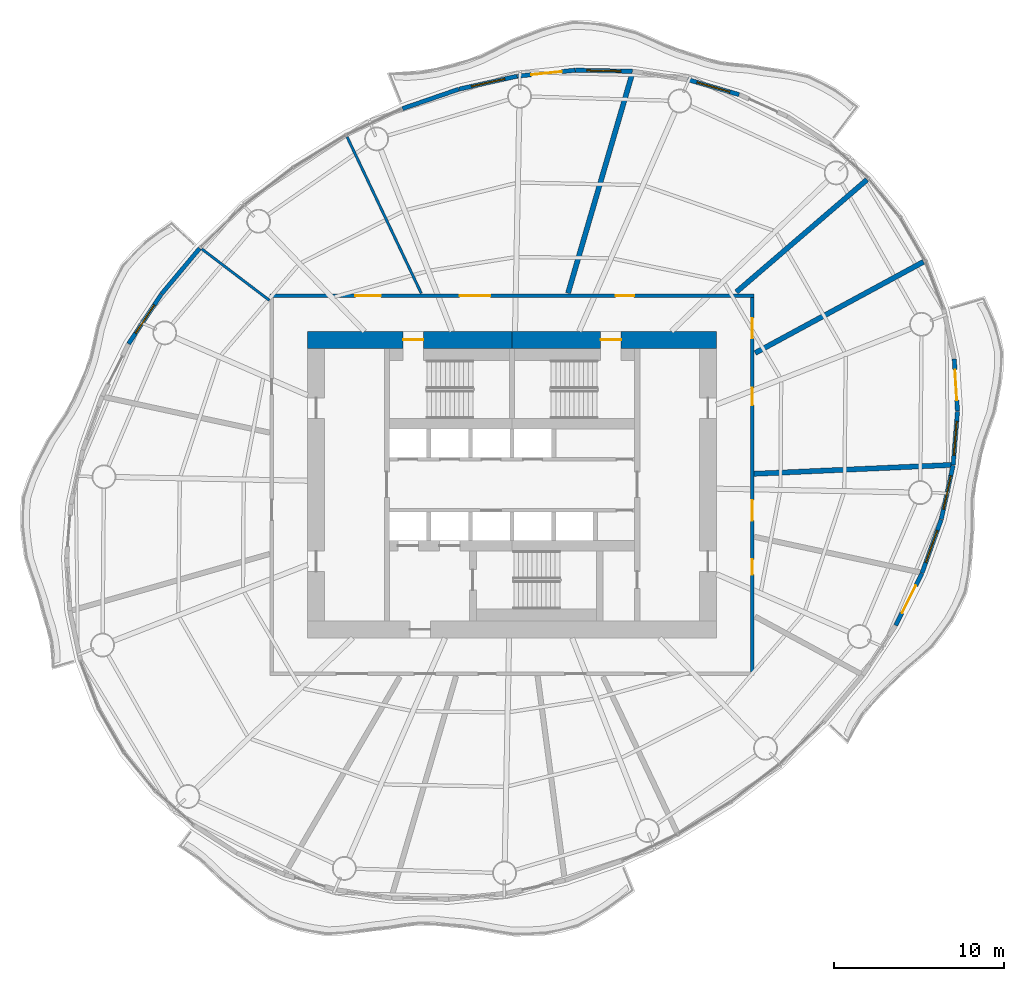
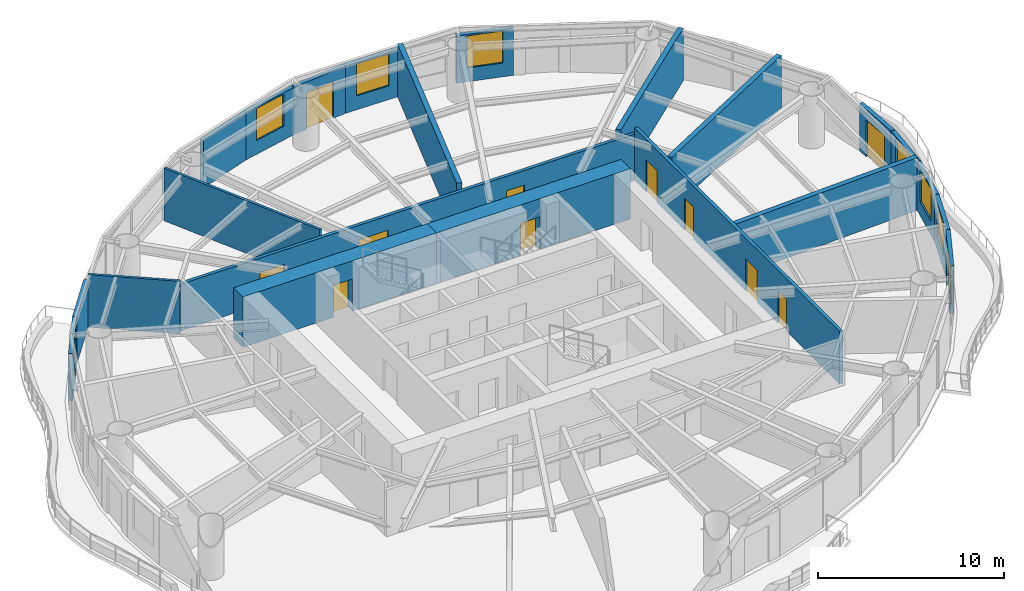
# One storey, part 10 of 14: 22 walls, 12 doors, 7 windows, 19 openings.
"""IFC4 building model written with IfcOpenShell, lengths in metres."""

import ifcopenshell
import ifcopenshell.guid

model = None  # the IFC model being written
_history = None  # IfcOwnerHistory: only IFC2X3 demands one
_inside = {}  # id of a spatial element -> (the spatial element, [elements in it])
_under = {}  # id of a project, library or spatial element -> (it, [spatial elements below it])
_declared = {}  # id of a project -> (the project, [libraries it declares])
_typed = {}  # id of a type object -> (the type object, [elements of that type])
_made_of = {}  # id of a material, layer set ... -> (it, [elements and type objects made of it])


def new_model(schema):
    """Start an empty IFC model of exactly this schema.

    Asked for "IFC4X3", IfcOpenShell would pick the latest addendum, in which some entities
    have other attributes; the version numbers below select the first issue.
    IFC2X3 requires an IfcOwnerHistory on every rooted entity: one is made here for all.
    """
    global model, _history
    if schema == "IFC4X3":
        model = ifcopenshell.file(schema_version=(4, 3, 0, 0))
    else:
        model = ifcopenshell.file(schema=schema)
    _inside.clear()
    _under.clear()
    _declared.clear()
    _typed.clear()
    _made_of.clear()
    _history = None
    if model.schema == "IFC2X3":
        org = make("IfcOrganization", Name="unknown")
        user = make(
            "IfcPersonAndOrganization",
            ThePerson=make("IfcPerson", FamilyName="unknown"),
            TheOrganization=org,
        )
        app = make(
            "IfcApplication",
            ApplicationDeveloper=org,
            Version="unknown",
            ApplicationFullName="unknown",
            ApplicationIdentifier="unknown",
        )
        _history = make(
            "IfcOwnerHistory",
            OwningUser=user,
            OwningApplication=app,
            ChangeAction="ADDED",
            CreationDate=0,
        )
    return model


def make(cls, **values):
    """One entity of the class cls with the attributes given. An attribute that is None is left unset."""
    return model.create_entity(
        cls, **{name: value for name, value in values.items() if value is not None}
    )


def rooted(cls, **values):
    """An entity with a GlobalId (a new one), such as an element, a storey or a relation."""
    return make(cls, GlobalId=ifcopenshell.guid.new(), OwnerHistory=_history, **values)


def si_unit(unit_type, name, prefix=None):
    """IfcSIUnit, for example si_unit("LENGTHUNIT", "METRE", prefix="MILLI")."""
    return make("IfcSIUnit", UnitType=unit_type, Prefix=prefix, Name=name)


def assignment(units):
    """IfcUnitAssignment: the units of a project."""
    return None if units is None else make("IfcUnitAssignment", Units=units)


def point(xyz):
    """IfcCartesianPoint."""
    return None if xyz is None else make("IfcCartesianPoint", Coordinates=xyz)


def direction(xyz):
    """IfcDirection."""
    return None if xyz is None else make("IfcDirection", DirectionRatios=xyz)


def frame(location, z_axis=None, x_axis=None):
    """IfcAxis2Placement3D, a coordinate frame: its origin and axes. An axis left out is left unset."""
    return make(
        "IfcAxis2Placement3D",
        Location=point(location),
        Axis=direction(z_axis),
        RefDirection=direction(x_axis),
    )


def frame_2d(location, x_axis=None):
    """IfcAxis2Placement2D, a coordinate frame in the plane: its origin and x axis."""
    return make(
        "IfcAxis2Placement2D", Location=point(location), RefDirection=direction(x_axis)
    )


def origin():
    """The frame at (0, 0, 0) with its axes left unset."""
    return frame((0.0, 0.0, 0.0))


def place(relative_to, where):
    """IfcLocalPlacement: puts the frame where relative to a parent placement (None: the world)."""
    return make(
        "IfcLocalPlacement", PlacementRelTo=relative_to, RelativePlacement=where
    )


def context(
    kind, dimensions, precision=None, world=None, true_north=None, identifier=None
):
    """IfcGeometricRepresentationContext, for example the 3D "Model" context."""
    return make(
        "IfcGeometricRepresentationContext",
        ContextIdentifier=identifier,
        ContextType=kind,
        CoordinateSpaceDimension=dimensions,
        Precision=precision,
        WorldCoordinateSystem=world,
        TrueNorth=true_north,
    )


def subcontext(parent, identifier, kind, view, scale=None):
    """IfcGeometricRepresentationSubContext, for example "Body" below "Model"."""
    return make(
        "IfcGeometricRepresentationSubContext",
        ContextIdentifier=identifier,
        ContextType=kind,
        ParentContext=parent,
        TargetScale=scale,
        TargetView=view,
    )


def project(units=None, contexts=None):
    """IfcProject with its units and contexts."""
    return rooted(
        "IfcProject",
        Name="project",
        RepresentationContexts=contexts,
        UnitsInContext=assignment(units),
    )


def spatial(cls, under=None, at=None, **own):
    """A site, building, storey or space (cls), placed at a placement, below another one or the project."""
    s = rooted(cls, ObjectPlacement=at, **own)
    if under is not None:
        _under.setdefault(under.id(), (under, []))[1].append(s)
    return s


def profile(cls, at=None, kind="AREA", **sizes):
    """A parametric profile (cls). Its sizes go by their IFC names, for example OverallWidth=200.0."""
    return make(cls, ProfileType=kind, Position=at, **sizes)


def rectangle(**sizes):
    """IfcRectangleProfileDef."""
    return profile("IfcRectangleProfileDef", **sizes)


def extrude(swept, where, along, depth):
    """IfcExtrudedAreaSolid: the profile swept, set in the frame where, extruded along a direction by depth."""
    return make(
        "IfcExtrudedAreaSolid",
        SweptArea=swept,
        Position=where,
        ExtrudedDirection=direction(along),
        Depth=depth,
    )


def shape(context_of_items, identifier, shape_type, items):
    """IfcShapeRepresentation: the items that make up one representation, for example the "Body"."""
    return make(
        "IfcShapeRepresentation",
        ContextOfItems=context_of_items,
        RepresentationIdentifier=identifier,
        RepresentationType=shape_type,
        Items=items,
    )


def material(Name=None, Category=None):
    """IfcMaterial."""
    return make("IfcMaterial", Name=Name, Category=Category)


def layer(
    of_material, thickness, ventilated=None, Name=None, Category=None, Priority=None
):
    """IfcMaterialLayer: one layer of a wall or slab, of a material (None: an air gap)."""
    return make(
        "IfcMaterialLayer",
        Material=of_material,
        LayerThickness=thickness,
        IsVentilated=ventilated,
        Name=Name,
        Category=Category,
        Priority=Priority,
    )


def layer_set(layers, Name=None):
    """IfcMaterialLayerSet."""
    return make("IfcMaterialLayerSet", MaterialLayers=layers, LayerSetName=Name)


def made_of(thing, what):
    """Note that an element or type object is made of a material, layer set ...; save() writes the relation."""
    if what is not None:
        _made_of.setdefault(what.id(), (what, []))[1].append(thing)
    return thing


def type_object(cls, material=None, **own):
    """A type object (cls), such as IfcWallType, which elements share."""
    return made_of(rooted(cls, **own), material)


def element(
    cls,
    number,
    at=None,
    inside=None,
    cuts=None,
    type_object=None,
    material=None,
    context=None,
    identifier="Body",
    shape_type=None,
    held_by="IfcProductDefinitionShape",
    body=None,
    shapes=None,
    **own,
):
    """One element of the class cls, such as IfcWall. Its Tag is "e" and its number.

    at: its placement. inside: the storey or other place that contains it. cuts: it is an
    opening in that element (IfcRelVoidsElement). A single representation is given by context,
    identifier, shape_type and body (its items); several are given by shapes. held_by: the class
    of the entity that holds the representations. save() writes the other relations.
    """
    e = rooted(cls, Tag="e%d" % number, ObjectPlacement=at, **own)
    if body is not None:
        shapes = [shape(context, identifier, shape_type, body)]
    if shapes is not None:
        e.Representation = make(held_by, Representations=shapes)
    if inside is not None:
        _inside.setdefault(inside.id(), (inside, []))[1].append(e)
    if cuts is not None:
        rooted(
            "IfcRelVoidsElement", RelatingBuildingElement=cuts, RelatedOpeningElement=e
        )
    if type_object is not None:
        _typed.setdefault(type_object.id(), (type_object, []))[1].append(e)
    return made_of(e, material)


def fill(opening, filler):
    """IfcRelFillsElement: the door or window that sits in an opening."""
    return rooted(
        "IfcRelFillsElement",
        RelatingOpeningElement=opening,
        RelatedBuildingElement=filler,
    )


def aggregate(whole, parts):
    """IfcRelAggregates: a whole, such as a stair, and the parts it consists of."""
    return rooted("IfcRelAggregates", RelatingObject=whole, RelatedObjects=parts)


def save(model, path):
    """Write the relations noted so far, then the file.

    IfcRelAggregates (storeys below a building ...), IfcRelContainedInSpatialStructure (elements
    in a storey), IfcRelDefinesByType, IfcRelAssociatesMaterial and IfcRelDeclares: one each for
    every whole, place, type object, material and project.
    """
    for whole, parts in _under.values():
        aggregate(whole, parts)
    for where, things in _inside.values():
        rooted(
            "IfcRelContainedInSpatialStructure",
            RelatedElements=things,
            RelatingStructure=where,
        )
    for kind, things in _typed.values():
        rooted("IfcRelDefinesByType", RelatedObjects=things, RelatingType=kind)
    for what, things in _made_of.values():
        rooted("IfcRelAssociatesMaterial", RelatedObjects=things, RelatingMaterial=what)
    for by, libraries in _declared.values():
        rooted("IfcRelDeclares", RelatingContext=by, RelatedDefinitions=libraries)
    model.write(path)


model = new_model("IFC4")

# Units and contexts
model_context = context("Model", 3, precision=1e-05, world=origin(), true_north=direction((0.0, 1.0)))
body_context = subcontext(model_context, "Body", "Model", "MODEL_VIEW")
ifc_project = project(units=[si_unit("LENGTHUNIT", "METRE"), si_unit("AREAUNIT", "SQUARE_METRE"), si_unit("VOLUMEUNIT", "CUBIC_METRE"), si_unit("PLANEANGLEUNIT", "RADIAN"), si_unit("MASSUNIT", "GRAM", prefix="KILO")], contexts=[model_context])

# Site, building, storey
site_placement = place(None, origin())
site = spatial("IfcSite", under=ifc_project, at=site_placement, CompositionType="ELEMENT")
building_placement = place(site_placement, origin())
building = spatial("IfcBuilding", under=site, at=building_placement, Name="Vermilion Reach Broadcast Tower", CompositionType="ELEMENT")
storey_placement = place(building_placement, frame((0.0, 0.0, 172.199951171875)))
storey = spatial("IfcBuildingStorey", under=building, at=storey_placement, Name="L41", CompositionType="ELEMENT", Elevation=172.199951171875)

# Wall, opening, door
ifc_material_1 = material(Name="Concrete C70", Category="concrete")
ifc_layer_1 = layer(ifc_material_1, 1.0)
ifc_layer_set_1 = layer_set([ifc_layer_1], Name="Core outer wall 1000 mm Concrete C70")
wall_type_1 = type_object("IfcWallType", Name="Core outer wall 1000 mm Concrete C70", PredefinedType="SHEAR", material=ifc_layer_set_1)
wall_1_placement = place(storey_placement, frame((6.0, 8.5, 0.0), z_axis=(0.0, 0.0, 1.0), x_axis=(-1.0, 0.0, 0.0)))
wall_1 = element("IfcWall", 1, at=wall_1_placement, inside=storey, type_object=wall_type_1, Name="L41 core wall onE", PredefinedType="SHEAR", context=body_context, shape_type="SweptSolid", body=[
    extrude(rectangle(XDim=12.0, YDim=1.0, at=frame_2d((6.0, 0.0))), origin(), (0.0, 0.0, 1.0), 3.300048828125),
])
opening_1_placement = place(wall_1_placement, frame((5.60009765625, 0.0, 0.0)))
opening_1 = element("IfcOpeningElement", 2, at=opening_1_placement, cuts=wall_1, Name="Opening D01", PredefinedType="OPENING", context=body_context, shape_type="SweptSolid", body=[
    extrude(rectangle(XDim=1.199951171875, YDim=2.10009765625, at=frame_2d((0.60009765625, 1.050048828125))), frame((0.0, 0.510009765625, 0.0), z_axis=(0.0, -1.0, 0.0), x_axis=(1.0, 0.0, 0.0)), (0.0, 0.0, 1.0), 1.02001953125),
])
ifc_material_2 = material(Name="Painted steel fire door", Category="steel")
door_type_1 = type_object("IfcDoorType", Name="Stair door 1200 x 2100", OperationType="DOUBLE_DOOR_SINGLE_SWING", PredefinedType="NOTDEFINED", material=ifc_material_2)
door_1_placement = place(opening_1_placement, origin())
door_1 = element("IfcDoor", 3, at=door_1_placement, inside=storey, type_object=door_type_1, Name="L41 stair door ST2", OperationType="DOUBLE_DOOR_SINGLE_SWING", OverallHeight=2.10009765625, OverallWidth=1.199951171875, PredefinedType="NOTDEFINED", context=body_context, shape_type="SweptSolid", body=[
    extrude(rectangle(XDim=1.199951171875, YDim=2.10009765625, at=frame_2d((0.60009765625, 1.050048828125))), frame((0.0, 0.02490234375, 0.0), z_axis=(0.0, -1.0, 0.0), x_axis=(1.0, 0.0, 0.0)), (0.0, 0.0, 1.0), 0.050048828125),
])
fill(opening_1, door_1)

wall_2_placement = place(storey_placement, frame((-6.0, 8.5, 0.0), z_axis=(0.0, 0.0, 1.0), x_axis=(-1.0, 0.0, 0.0)))
wall_2 = element("IfcWall", 4, at=wall_2_placement, inside=storey, type_object=wall_type_1, Name="L41 core wall onW", PredefinedType="SHEAR", context=body_context, shape_type="SweptSolid", body=[
    extrude(rectangle(XDim=12.0, YDim=1.0, at=frame_2d((6.0, 0.0))), origin(), (0.0, 0.0, 1.0), 3.300048828125),
])
opening_2_placement = place(wall_2_placement, frame((5.199951171875, 0.0, 0.0)))
opening_2 = element("IfcOpeningElement", 5, at=opening_2_placement, cuts=wall_2, Name="Opening D01", PredefinedType="OPENING", context=body_context, shape_type="SweptSolid", body=[
    extrude(rectangle(XDim=1.199951171875, YDim=2.10009765625, at=frame_2d((0.60009765625, 1.050048828125))), frame((0.0, 0.510009765625, 0.0), z_axis=(0.0, -1.0, 0.0), x_axis=(1.0, 0.0, 0.0)), (0.0, 0.0, 1.0), 1.02001953125),
])
door_2_placement = place(opening_2_placement, origin())
door_2 = element("IfcDoor", 6, at=door_2_placement, inside=storey, type_object=door_type_1, Name="L41 stair door ST1", OperationType="DOUBLE_DOOR_SINGLE_SWING", OverallHeight=2.10009765625, OverallWidth=1.199951171875, PredefinedType="NOTDEFINED", context=body_context, shape_type="SweptSolid", body=[
    extrude(rectangle(XDim=1.199951171875, YDim=2.10009765625, at=frame_2d((0.60009765625, 1.050048828125))), frame((0.0, 0.02490234375, 0.0), z_axis=(0.0, -1.0, 0.0), x_axis=(1.0, 0.0, 0.0)), (0.0, 0.0, 1.0), 0.050048828125),
])
fill(opening_2, door_2)

# Wall, openings, doors
ifc_material_3 = material(Name="Fire-rated gypsum board partition")
ifc_layer_2 = layer(ifc_material_3, 0.199951171875)
ifc_layer_set_2 = layer_set([ifc_layer_2], Name="Corridor wall 200 fire-rated")
wall_type_2 = type_object("IfcWallType", Name="Corridor wall 200 fire-rated", PredefinedType="PARTITIONING", material=ifc_layer_set_2)
wall_3_placement = place(storey_placement, frame((8.10009765625, 11.0, 0.0), z_axis=(0.0, 0.0, 1.0), x_axis=(0.0, -1.0, 0.0)))
wall_3 = element("IfcWall", 7, at=wall_3_placement, inside=storey, type_object=wall_type_2, Name="Corridor wall 41.E", PredefinedType="PARTITIONING", context=body_context, shape_type="SweptSolid", body=[
    extrude(rectangle(XDim=22.0, YDim=0.199951171875, at=frame_2d((11.0, 0.0))), origin(), (0.0, 0.0, 1.0), 3.449951171875),
])
opening_3_placement = place(wall_3_placement, frame((15.377685546875, 0.0, 0.0)))
opening_3 = element("IfcOpeningElement", 8, at=opening_3_placement, cuts=wall_3, Name="Opening D22", PredefinedType="OPENING", context=body_context, shape_type="SweptSolid", body=[
    extrude(rectangle(XDim=0.89990234375, YDim=2.10009765625, at=frame_2d((0.449951171875, 1.050048828125))), frame((0.0, 0.10986328125, 0.0), z_axis=(0.0, -1.0, 0.0), x_axis=(1.0, 0.0, 0.0)), (0.0, 0.0, 1.0), 0.219970703125),
])
opening_4_placement = place(wall_3_placement, frame((11.905029296875, 0.0, 0.0)))
opening_4 = element("IfcOpeningElement", 9, at=opening_4_placement, cuts=wall_3, Name="Opening D26", PredefinedType="OPENING", context=body_context, shape_type="SweptSolid", body=[
    extrude(rectangle(XDim=1.199951171875, YDim=2.10009765625, at=frame_2d((0.60009765625, 1.050048828125))), frame((0.0, 0.10986328125, 0.0), z_axis=(0.0, -1.0, 0.0), x_axis=(1.0, 0.0, 0.0)), (0.0, 0.0, 1.0), 0.219970703125),
])
opening_5_placement = place(wall_3_placement, frame((5.32275390625, 0.0, 0.0)))
opening_5 = element("IfcOpeningElement", 10, at=opening_5_placement, cuts=wall_3, Name="Opening D20", PredefinedType="OPENING", context=body_context, shape_type="SweptSolid", body=[
    extrude(rectangle(XDim=1.0, YDim=2.10009765625, at=frame_2d((0.5, 1.050048828125))), frame((0.0, 0.10986328125, 0.0), z_axis=(0.0, -1.0, 0.0), x_axis=(1.0, 0.0, 0.0)), (0.0, 0.0, 1.0), 0.219970703125),
])
opening_6_placement = place(wall_3_placement, frame((1.214599609375, 0.0, 0.0)))
opening_6 = element("IfcOpeningElement", 11, at=opening_6_placement, cuts=wall_3, Name="Opening D26", PredefinedType="OPENING", context=body_context, shape_type="SweptSolid", body=[
    extrude(rectangle(XDim=1.199951171875, YDim=2.10009765625, at=frame_2d((0.60009765625, 1.050048828125))), frame((0.0, 0.10986328125, 0.0), z_axis=(0.0, -1.0, 0.0), x_axis=(1.0, 0.0, 0.0)), (0.0, 0.0, 1.0), 0.219970703125),
])
ifc_material_4 = material(Name="Timber door leaf", Category="wood")
door_type_2 = type_object("IfcDoorType", Name="Door single 1000x2100", OperationType="NOTDEFINED", PredefinedType="DOOR", material=ifc_material_4)
door_3_placement = place(opening_5_placement, origin())
door_3 = element("IfcDoor", 12, at=door_3_placement, inside=storey, type_object=door_type_2, Name="Door 41.13", OperationType="SINGLE_SWING_LEFT", OverallHeight=2.10009765625, OverallWidth=1.0, PredefinedType="DOOR", context=body_context, shape_type="SweptSolid", body=[
    extrude(rectangle(XDim=1.0, YDim=2.10009765625, at=frame_2d((0.5, 1.050048828125))), frame((0.0, 0.02490234375, 0.0), z_axis=(0.0, -1.0, 0.0), x_axis=(1.0, 0.0, 0.0)), (0.0, 0.0, 1.0), 0.050048828125),
])
fill(opening_5, door_3)
ifc_material_5 = material(Name="Acoustic timber door leaf", Category="wood")
door_type_3 = type_object("IfcDoorType", Name="Door single 1200x2100", OperationType="NOTDEFINED", PredefinedType="DOOR", material=ifc_material_5)
door_4_placement = place(opening_4_placement, origin())
door_4 = element("IfcDoor", 13, at=door_4_placement, inside=storey, type_object=door_type_3, Name="Door 41.12", OperationType="SINGLE_SWING_RIGHT", OverallHeight=2.10009765625, OverallWidth=1.199951171875, PredefinedType="DOOR", context=body_context, shape_type="SweptSolid", body=[
    extrude(rectangle(XDim=1.199951171875, YDim=2.10009765625, at=frame_2d((0.60009765625, 1.050048828125))), frame((0.0, 0.02490234375, 0.0), z_axis=(0.0, -1.0, 0.0), x_axis=(1.0, 0.0, 0.0)), (0.0, 0.0, 1.0), 0.050048828125),
])
fill(opening_4, door_4)
door_5_placement = place(opening_6_placement, origin())
door_5 = element("IfcDoor", 14, at=door_5_placement, inside=storey, type_object=door_type_3, Name="Door 41.14", OperationType="SINGLE_SWING_RIGHT", OverallHeight=2.10009765625, OverallWidth=1.199951171875, PredefinedType="DOOR", context=body_context, shape_type="SweptSolid", body=[
    extrude(rectangle(XDim=1.199951171875, YDim=2.10009765625, at=frame_2d((0.60009765625, 1.050048828125))), frame((0.0, 0.02490234375, 0.0), z_axis=(0.0, -1.0, 0.0), x_axis=(1.0, 0.0, 0.0)), (0.0, 0.0, 1.0), 0.050048828125),
])
fill(opening_6, door_5)
ifc_material_6 = material(Name="Timber door leaf", Category="wood")
door_type_4 = type_object("IfcDoorType", Name="Door single 900x2100", OperationType="NOTDEFINED", PredefinedType="DOOR", material=ifc_material_6)
door_6_placement = place(opening_3_placement, origin())
door_6 = element("IfcDoor", 15, at=door_6_placement, inside=storey, type_object=door_type_4, Name="Door 41.11", OperationType="SINGLE_SWING_LEFT", OverallHeight=2.10009765625, OverallWidth=0.89990234375, PredefinedType="DOOR", context=body_context, shape_type="SweptSolid", body=[
    extrude(rectangle(XDim=0.89990234375, YDim=2.10009765625, at=frame_2d((0.449951171875, 1.050048828125))), frame((0.0, 0.02490234375, 0.0), z_axis=(0.0, -1.0, 0.0), x_axis=(1.0, 0.0, 0.0)), (0.0, 0.0, 1.0), 0.050048828125),
])
fill(opening_3, door_6)

# Walls
ifc_material_7 = material(Name="Lightweight concrete block, plastered", Category="concrete")
ifc_layer_3 = layer(ifc_material_7, 0.14990234375)
ifc_layer_set_3 = layer_set([ifc_layer_3], Name="Partition 150 lightweight block")
wall_type_3 = type_object("IfcWallType", Name="Partition 150 lightweight block", PredefinedType="PARTITIONING", material=ifc_layer_set_3)
wall_4_placement = place(storey_placement, frame((-15.68115234375, 20.409912109375, 0.0), z_axis=(0.0, 0.0, 1.0), x_axis=(0.42856257456, -0.903512102678, 0.0)))
element("IfcWall", 16, at=wall_4_placement, inside=storey, type_object=wall_type_3, Name="Partition 41.03", PredefinedType="PARTITIONING", context=body_context, shape_type="SweptSolid", body=[
    extrude(rectangle(XDim=10.157958984375, YDim=0.14990234375, at=frame_2d((5.0791015625, 0.0))), origin(), (0.0, 0.0, 1.0), 3.449951171875),
])
wall_5_placement = place(storey_placement, frame((-24.208740234375, 13.834716796875, 0.0), z_axis=(0.0, 0.0, 1.0), x_axis=(0.796229293109, -0.604994969231, 0.0)))
element("IfcWall", 17, at=wall_5_placement, inside=storey, type_object=wall_type_3, Name="Partition 41.04", PredefinedType="PARTITIONING", context=body_context, shape_type="SweptSolid", body=[
    extrude(rectangle(XDim=4.977783203125, YDim=0.14990234375, at=frame_2d((2.48876953125, 0.0))), origin(), (0.0, 0.0, 1.0), 3.449951171875),
])
ifc_material_8 = material(Name="Double-leaf plasterboard on isolated steel stud", Category="steel")
ifc_layer_4 = layer(ifc_material_8, 0.300048828125)
ifc_layer_set_4 = layer_set([ifc_layer_4], Name="Partition 300 acoustic double leaf")
wall_type_4 = type_object("IfcWallType", Name="Partition 300 acoustic double leaf", PredefinedType="PARTITIONING", material=ifc_layer_set_4)
wall_6_placement = place(storey_placement, frame((14.83154296875, 17.89990234375, 0.0), z_axis=(0.0, 0.0, 1.0), x_axis=(-0.758456240409, -0.651723968705, 0.0)))
element("IfcWall", 18, at=wall_6_placement, inside=storey, type_object=wall_type_4, Name="Partition 41.01", PredefinedType="PARTITIONING", context=body_context, shape_type="SweptSolid", body=[
    extrude(rectangle(XDim=10.105712890625, YDim=0.300048828125, at=frame_2d((5.052734375, 0.0))), origin(), (0.0, 0.0, 1.0), 3.449951171875),
])
wall_7_placement = place(storey_placement, frame((1.058349609375, 24.141357421875, 0.0), z_axis=(0.0, 0.0, 1.0), x_axis=(-0.28063264882, -0.95981525119, 0.0)))
element("IfcWall", 19, at=wall_7_placement, inside=storey, type_object=wall_type_4, Name="Partition 41.02", PredefinedType="PARTITIONING", context=body_context, shape_type="SweptSolid", body=[
    extrude(rectangle(XDim=13.439208984375, YDim=0.300048828125, at=frame_2d((6.7197265625, 0.0))), origin(), (0.0, 0.0, 1.0), 3.449951171875),
])
wall_8_placement = place(storey_placement, frame((19.767578125, 1.160400390625, 0.0), z_axis=(0.0, 0.0, 1.0), x_axis=(-0.998987978485, -0.044977981757, 0.0)))
element("IfcWall", 20, at=wall_8_placement, inside=storey, type_object=wall_type_4, Name="Partition 41.13", PredefinedType="PARTITIONING", context=body_context, shape_type="SweptSolid", body=[
    extrude(rectangle(XDim=11.572509765625, YDim=0.300048828125, at=frame_2d((5.7861328125, 0.0))), origin(), (0.0, 0.0, 1.0), 3.449951171875),
])
wall_9_placement = place(storey_placement, frame((18.149169921875, 13.083740234375, 0.0), z_axis=(0.0, 0.0, 1.0), x_axis=(-0.879249111844, -0.476362256398, 0.0)))
element("IfcWall", 21, at=wall_9_placement, inside=storey, type_object=wall_type_4, Name="Partition 41.14", PredefinedType="PARTITIONING", context=body_context, shape_type="SweptSolid", body=[
    extrude(rectangle(XDim=11.234130859375, YDim=0.300048828125, at=frame_2d((5.6171875, 0.0))), origin(), (0.0, 0.0, 1.0), 3.449951171875),
])

# Wall, opening, window
ifc_material_9 = material(Name="Terracotta rainscreen cladding", Category="masonry")
ifc_layer_5 = layer(ifc_material_9, 0.25)
ifc_layer_set_5 = layer_set([ifc_layer_5], Name="Terracotta rainscreen wall 250")
wall_type_5 = type_object("IfcWallType", Name="Terracotta rainscreen wall 250", PredefinedType="SOLIDWALL", material=ifc_layer_set_5)
wall_10_placement = place(storey_placement, frame((7.330322265625, 22.8994140625, 0.0), z_axis=(0.0, 0.0, 1.0), x_axis=(-0.960068559705, 0.279764831003, 0.0)))
wall_10 = element("IfcWall", 22, at=wall_10_placement, inside=storey, type_object=wall_type_5, Name="External wall L41 04", PredefinedType="SOLIDWALL", context=body_context, shape_type="SweptSolid", body=[
    extrude(rectangle(XDim=3.1494140625, YDim=0.25, at=frame_2d((1.57470703125, 0.0))), origin(), (0.0, 0.0, 1.0), 3.10009765625),
])
opening_7_placement = place(wall_10_placement, frame((0.57470703125, 0.0, 0.89990234375)))
opening_7 = element("IfcOpeningElement", 23, at=opening_7_placement, cuts=wall_10, Name="Opening W03", PredefinedType="OPENING", context=body_context, shape_type="SweptSolid", body=[
    extrude(rectangle(XDim=2.0, YDim=2.10009765625, at=frame_2d((1.0, 1.050048828125))), frame((0.0, 0.135009765625, 0.0), z_axis=(0.0, -1.0, 0.0), x_axis=(1.0, 0.0, 0.0)), (0.0, 0.0, 1.0), 0.27001953125),
])
ifc_material_10 = material(Name="Low-e laminated clear glass in aluminium frame", Category="aluminium")
window_type = type_object("IfcWindowType", Name="Punched window 2000 x 2100 sill 900", PartitioningType="SINGLE_PANEL", PredefinedType="WINDOW", material=ifc_material_10)
window_1_placement = place(opening_7_placement, origin())
window_1 = element("IfcWindow", 24, at=window_1_placement, inside=storey, type_object=window_type, Name="Window L41 04", OverallHeight=2.10009765625, OverallWidth=2.0, PartitioningType="SINGLE_PANEL", PredefinedType="WINDOW", context=body_context, shape_type="SweptSolid", body=[
    extrude(rectangle(XDim=2.0, YDim=2.10009765625, at=frame_2d((1.0, 1.050048828125))), frame((0.0, 0.030029296875, 0.0), z_axis=(0.0, -1.0, 0.0), x_axis=(1.0, 0.0, 0.0)), (0.0, 0.0, 1.0), 0.06005859375),
])
fill(opening_7, window_1)

wall_11_placement = place(storey_placement, frame((1.056640625, 24.26611328125, 0.0), z_axis=(0.0, 0.0, 1.0), x_axis=(-0.999802109274, 0.019893272512, 0.0)))
wall_11 = element("IfcWall", 25, at=wall_11_placement, inside=storey, type_object=wall_type_5, Name="External wall L41 06", PredefinedType="SOLIDWALL", context=body_context, shape_type="SweptSolid", body=[
    extrude(rectangle(XDim=3.325927734375, YDim=0.25, at=frame_2d((1.6630859375, 0.0))), origin(), (0.0, 0.0, 1.0), 3.10009765625),
])
opening_8_placement = place(wall_11_placement, frame((0.6630859375, 0.0, 0.89990234375)))
opening_8 = element("IfcOpeningElement", 26, at=opening_8_placement, cuts=wall_11, Name="Opening W03", PredefinedType="OPENING", context=body_context, shape_type="SweptSolid", body=[
    extrude(rectangle(XDim=2.0, YDim=2.10009765625, at=frame_2d((1.0, 1.050048828125))), frame((0.0, 0.135009765625, 0.0), z_axis=(0.0, -1.0, 0.0), x_axis=(1.0, 0.0, 0.0)), (0.0, 0.0, 1.0), 0.27001953125),
])
window_2_placement = place(opening_8_placement, origin())
window_2 = element("IfcWindow", 27, at=window_2_placement, inside=storey, type_object=window_type, Name="Window L41 06", OverallHeight=2.10009765625, OverallWidth=2.0, PartitioningType="SINGLE_PANEL", PredefinedType="WINDOW", context=body_context, shape_type="SweptSolid", body=[
    extrude(rectangle(XDim=2.0, YDim=2.10009765625, at=frame_2d((1.0, 1.050048828125))), frame((0.0, 0.030029296875, 0.0), z_axis=(0.0, -1.0, 0.0), x_axis=(1.0, 0.0, 0.0)), (0.0, 0.0, 1.0), 0.06005859375),
])
fill(opening_8, window_2)

# Wall, opening, door
wall_12_placement = place(storey_placement, frame((-2.291748046875, 24.331298828125, 0.0), z_axis=(0.0, 0.0, 1.0), x_axis=(-0.994780134023, -0.102041584436, 0.0)))
wall_12 = element("IfcWall", 28, at=wall_12_placement, inside=storey, type_object=wall_type_5, Name="External wall L41 07", PredefinedType="SOLIDWALL", context=body_context, shape_type="SweptSolid", body=[
    extrude(rectangle(XDim=3.409423828125, YDim=0.25, at=frame_2d((1.70458984375, 0.0))), origin(), (0.0, 0.0, 1.0), 3.10009765625),
])
opening_9_placement = place(wall_12_placement, frame((0.804931640625, 0.0, 0.0)))
opening_9 = element("IfcOpeningElement", 29, at=opening_9_placement, cuts=wall_12, Name="Opening D70", PredefinedType="OPENING", context=body_context, shape_type="SweptSolid", body=[
    extrude(rectangle(XDim=1.800048828125, YDim=2.39990234375, at=frame_2d((0.89990234375, 1.199951171875))), frame((0.0, 0.135009765625, 0.0), z_axis=(0.0, -1.0, 0.0), x_axis=(1.0, 0.0, 0.0)), (0.0, 0.0, 1.0), 0.27001953125),
])
ifc_material_11 = material(Name="Low-e laminated clear glass in aluminium frame", Category="aluminium")
door_type_5 = type_object("IfcDoorType", Name="Balcony sliding door 1800 x 2400", OperationType="DOUBLE_DOOR_SLIDING", PredefinedType="DOOR", material=ifc_material_11)
door_7_placement = place(opening_9_placement, origin())
door_7 = element("IfcDoor", 30, at=door_7_placement, inside=storey, type_object=door_type_5, Name="Balcony door L41 run 02", OperationType="DOUBLE_DOOR_SLIDING", OverallHeight=2.39990234375, OverallWidth=1.800048828125, PredefinedType="DOOR", context=body_context, shape_type="SweptSolid", body=[
    extrude(rectangle(XDim=1.800048828125, YDim=2.39990234375, at=frame_2d((0.89990234375, 1.199951171875))), frame((0.0, 0.02490234375, 0.0), z_axis=(0.0, -1.0, 0.0), x_axis=(1.0, 0.0, 0.0)), (0.0, 0.0, 1.0), 0.050048828125),
])
fill(opening_9, door_7)

# Wall, opening, window
wall_13_placement = place(storey_placement, frame((-5.70556640625, 23.979736328125, 0.0), z_axis=(0.0, 0.0, 1.0), x_axis=(-0.976094589236, -0.217346159074, 0.0)))
wall_13 = element("IfcWall", 31, at=wall_13_placement, inside=storey, type_object=wall_type_5, Name="External wall L41 08", PredefinedType="SOLIDWALL", context=body_context, shape_type="SweptSolid", body=[
    extrude(rectangle(XDim=3.482177734375, YDim=0.25, at=frame_2d((1.7412109375, 0.0))), origin(), (0.0, 0.0, 1.0), 3.10009765625),
])
opening_10_placement = place(wall_13_placement, frame((0.7412109375, 0.0, 0.89990234375)))
opening_10 = element("IfcOpeningElement", 32, at=opening_10_placement, cuts=wall_13, Name="Opening W03", PredefinedType="OPENING", context=body_context, shape_type="SweptSolid", body=[
    extrude(rectangle(XDim=2.0, YDim=2.10009765625, at=frame_2d((1.0, 1.050048828125))), frame((0.0, 0.135009765625, 0.0), z_axis=(0.0, -1.0, 0.0), x_axis=(1.0, 0.0, 0.0)), (0.0, 0.0, 1.0), 0.27001953125),
])
window_3_placement = place(opening_10_placement, origin())
window_3 = element("IfcWindow", 33, at=window_3_placement, inside=storey, type_object=window_type, Name="Window L41 08", OverallHeight=2.10009765625, OverallWidth=2.0, PartitioningType="SINGLE_PANEL", PredefinedType="WINDOW", context=body_context, shape_type="SweptSolid", body=[
    extrude(rectangle(XDim=2.0, YDim=2.10009765625, at=frame_2d((1.0, 1.050048828125))), frame((0.0, 0.030029296875, 0.0), z_axis=(0.0, -1.0, 0.0), x_axis=(1.0, 0.0, 0.0)), (0.0, 0.0, 1.0), 0.06005859375),
])
fill(opening_10, window_3)

# Walls
for number, where, z_axis, x_axis, name in (
    (34, (-9.125732421875, 23.216796875, 0.0), (0.0, 0.0, 1.0), (-0.945436778495, -0.325805613623, 0.0), "External wall L41 09"),
    (35, (-24.33544921875, 13.877685546875, 0.0), (0.0, 0.0, 1.0), (-0.64142670303, -0.767184322468, 0.0), "External wall L41 14"),
):
    element("IfcWall", number, at=place(storey_placement, frame(where, z_axis=z_axis, x_axis=x_axis)), inside=storey, type_object=wall_type_5, Name=name, PredefinedType="SOLIDWALL", context=body_context, shape_type="SweptSolid", body=[
        extrude(rectangle(XDim=3.496337890625, YDim=0.25, at=frame_2d((1.748046875, 0.0))), origin(), (0.0, 0.0, 1.0), 3.10009765625),
    ])

# Wall, opening, window
wall_14_placement = place(storey_placement, frame((-26.59130859375, 11.177490234375, 0.0), z_axis=(0.0, 0.0, 1.0), x_axis=(-0.551021923649, -0.834490766671, 0.0)))
wall_14 = element("IfcWall", 36, at=wall_14_placement, inside=storey, type_object=wall_type_5, Name="External wall L41 15", PredefinedType="SOLIDWALL", context=body_context, shape_type="SweptSolid", body=[
    extrude(rectangle(XDim=3.482177734375, YDim=0.25, at=frame_2d((1.7412109375, 0.0))), origin(), (0.0, 0.0, 1.0), 3.10009765625),
])
opening_11_placement = place(wall_14_placement, frame((0.7412109375, 0.0, 0.89990234375)))
opening_11 = element("IfcOpeningElement", 37, at=opening_11_placement, cuts=wall_14, Name="Opening W03", PredefinedType="OPENING", context=body_context, shape_type="SweptSolid", body=[
    extrude(rectangle(XDim=2.0, YDim=2.10009765625, at=frame_2d((1.0, 1.050048828125))), frame((0.0, 0.135009765625, 0.0), z_axis=(0.0, -1.0, 0.0), x_axis=(1.0, 0.0, 0.0)), (0.0, 0.0, 1.0), 0.27001953125),
])
window_4_placement = place(opening_11_placement, origin())
window_4 = element("IfcWindow", 38, at=window_4_placement, inside=storey, type_object=window_type, Name="Window L41 15", OverallHeight=2.10009765625, OverallWidth=2.0, PartitioningType="SINGLE_PANEL", PredefinedType="WINDOW", context=body_context, shape_type="SweptSolid", body=[
    extrude(rectangle(XDim=2.0, YDim=2.10009765625, at=frame_2d((1.0, 1.050048828125))), frame((0.0, 0.030029296875, 0.0), z_axis=(0.0, -1.0, 0.0), x_axis=(1.0, 0.0, 0.0)), (0.0, 0.0, 1.0), 0.06005859375),
])
fill(opening_11, window_4)

# Wall, opening, door
wall_15_placement = place(storey_placement, frame((16.521240234375, -8.252197265625, 0.0), z_axis=(0.0, 0.0, 1.0), x_axis=(0.449903975736, 0.893076935441, 0.0)))
wall_15 = element("IfcWall", 39, at=wall_15_placement, inside=storey, type_object=wall_type_5, Name="External wall L41 40", PredefinedType="SOLIDWALL", context=body_context, shape_type="SweptSolid", body=[
    extrude(rectangle(XDim=3.409423828125, YDim=0.25, at=frame_2d((1.70458984375, 0.0))), origin(), (0.0, 0.0, 1.0), 3.10009765625),
])
opening_12_placement = place(wall_15_placement, frame((0.804931640625, 0.0, 0.0)))
opening_12 = element("IfcOpeningElement", 40, at=opening_12_placement, cuts=wall_15, Name="Opening D70", PredefinedType="OPENING", context=body_context, shape_type="SweptSolid", body=[
    extrude(rectangle(XDim=1.800048828125, YDim=2.39990234375, at=frame_2d((0.89990234375, 1.199951171875))), frame((0.0, 0.135009765625, 0.0), z_axis=(0.0, -1.0, 0.0), x_axis=(1.0, 0.0, 0.0)), (0.0, 0.0, 1.0), 0.27001953125),
])
door_8_placement = place(opening_12_placement, origin())
door_8 = element("IfcDoor", 41, at=door_8_placement, inside=storey, type_object=door_type_5, Name="Balcony door L41 run 10", OperationType="DOUBLE_DOOR_SLIDING", OverallHeight=2.39990234375, OverallWidth=1.800048828125, PredefinedType="DOOR", context=body_context, shape_type="SweptSolid", body=[
    extrude(rectangle(XDim=1.800048828125, YDim=2.39990234375, at=frame_2d((0.89990234375, 1.199951171875))), frame((0.0, 0.02490234375, 0.0), z_axis=(0.0, -1.0, 0.0), x_axis=(1.0, 0.0, 0.0)), (0.0, 0.0, 1.0), 0.050048828125),
])
fill(opening_12, door_8)

# Wall, opening, window
wall_16_placement = place(storey_placement, frame((18.064453125, -5.18603515625, 0.0), z_axis=(0.0, 0.0, 1.0), x_axis=(0.337661333214, 0.941267668653, 0.0)))
wall_16 = element("IfcWall", 42, at=wall_16_placement, inside=storey, type_object=wall_type_5, Name="External wall L41 41", PredefinedType="SOLIDWALL", context=body_context, shape_type="SweptSolid", body=[
    extrude(rectangle(XDim=3.325927734375, YDim=0.25, at=frame_2d((1.6630859375, 0.0))), origin(), (0.0, 0.0, 1.0), 3.10009765625),
])
opening_13_placement = place(wall_16_placement, frame((0.6630859375, 0.0, 0.89990234375)))
opening_13 = element("IfcOpeningElement", 43, at=opening_13_placement, cuts=wall_16, Name="Opening W03", PredefinedType="OPENING", context=body_context, shape_type="SweptSolid", body=[
    extrude(rectangle(XDim=2.0, YDim=2.10009765625, at=frame_2d((1.0, 1.050048828125))), frame((0.0, 0.135009765625, 0.0), z_axis=(0.0, -1.0, 0.0), x_axis=(1.0, 0.0, 0.0)), (0.0, 0.0, 1.0), 0.27001953125),
])
window_5_placement = place(opening_13_placement, origin())
window_5 = element("IfcWindow", 44, at=window_5_placement, inside=storey, type_object=window_type, Name="Window L41 41", OverallHeight=2.10009765625, OverallWidth=2.0, PartitioningType="SINGLE_PANEL", PredefinedType="WINDOW", context=body_context, shape_type="SweptSolid", body=[
    extrude(rectangle(XDim=2.0, YDim=2.10009765625, at=frame_2d((1.0, 1.050048828125))), frame((0.0, 0.030029296875, 0.0), z_axis=(0.0, -1.0, 0.0), x_axis=(1.0, 0.0, 0.0)), (0.0, 0.0, 1.0), 0.06005859375),
])
fill(opening_13, window_5)

wall_17_placement = place(storey_placement, frame((19.1943359375, -2.032470703125, 0.0), z_axis=(0.0, 0.0, 1.0), x_axis=(0.21439852093, 0.976746269111, 0.0)))
wall_17 = element("IfcWall", 45, at=wall_17_placement, inside=storey, type_object=wall_type_5, Name="External wall L41 42", PredefinedType="SOLIDWALL", context=body_context, shape_type="SweptSolid", body=[
    extrude(rectangle(XDim=3.2373046875, YDim=0.25, at=frame_2d((1.61865234375, 0.0))), origin(), (0.0, 0.0, 1.0), 3.10009765625),
])
opening_14_placement = place(wall_17_placement, frame((0.61865234375, 0.0, 0.89990234375)))
opening_14 = element("IfcOpeningElement", 46, at=opening_14_placement, cuts=wall_17, Name="Opening W03", PredefinedType="OPENING", context=body_context, shape_type="SweptSolid", body=[
    extrude(rectangle(XDim=2.0, YDim=2.10009765625, at=frame_2d((1.0, 1.050048828125))), frame((0.0, 0.135009765625, 0.0), z_axis=(0.0, -1.0, 0.0), x_axis=(1.0, 0.0, 0.0)), (0.0, 0.0, 1.0), 0.27001953125),
])
window_6_placement = place(opening_14_placement, origin())
window_6 = element("IfcWindow", 47, at=window_6_placement, inside=storey, type_object=window_type, Name="Window L41 42", OverallHeight=2.10009765625, OverallWidth=2.0, PartitioningType="SINGLE_PANEL", PredefinedType="WINDOW", context=body_context, shape_type="SweptSolid", body=[
    extrude(rectangle(XDim=2.0, YDim=2.10009765625, at=frame_2d((1.0, 1.050048828125))), frame((0.0, 0.030029296875, 0.0), z_axis=(0.0, -1.0, 0.0), x_axis=(1.0, 0.0, 0.0)), (0.0, 0.0, 1.0), 0.06005859375),
])
fill(opening_14, window_6)

wall_18_placement = place(storey_placement, frame((19.89208984375, 1.154296875, 0.0), z_axis=(0.0, 0.0, 1.0), x_axis=(0.080857499855, 0.996725671746, 0.0)))
wall_18 = element("IfcWall", 48, at=wall_18_placement, inside=storey, type_object=wall_type_5, Name="External wall L41 43", PredefinedType="SOLIDWALL", context=body_context, shape_type="SweptSolid", body=[
    extrude(rectangle(XDim=3.149169921875, YDim=0.25, at=frame_2d((1.57470703125, 0.0))), origin(), (0.0, 0.0, 1.0), 3.10009765625),
])
opening_15_placement = place(wall_18_placement, frame((0.57470703125, 0.0, 0.89990234375)))
opening_15 = element("IfcOpeningElement", 49, at=opening_15_placement, cuts=wall_18, Name="Opening W03", PredefinedType="OPENING", context=body_context, shape_type="SweptSolid", body=[
    extrude(rectangle(XDim=2.0, YDim=2.10009765625, at=frame_2d((1.0, 1.050048828125))), frame((0.0, 0.135009765625, 0.0), z_axis=(0.0, -1.0, 0.0), x_axis=(1.0, 0.0, 0.0)), (0.0, 0.0, 1.0), 0.27001953125),
])
window_7_placement = place(opening_15_placement, origin())
window_7 = element("IfcWindow", 50, at=window_7_placement, inside=storey, type_object=window_type, Name="Window L41 43", OverallHeight=2.10009765625, OverallWidth=2.0, PartitioningType="SINGLE_PANEL", PredefinedType="WINDOW", context=body_context, shape_type="SweptSolid", body=[
    extrude(rectangle(XDim=2.0, YDim=2.10009765625, at=frame_2d((1.0, 1.050048828125))), frame((0.0, 0.030029296875, 0.0), z_axis=(0.0, -1.0, 0.0), x_axis=(1.0, 0.0, 0.0)), (0.0, 0.0, 1.0), 0.06005859375),
])
fill(opening_15, window_7)

# Wall, opening, door
wall_19_placement = place(storey_placement, frame((20.14697265625, 4.319091796875, 0.0), z_axis=(0.0, 0.0, 1.0), x_axis=(-0.061432025832, 0.99811126945, 0.0)))
wall_19 = element("IfcWall", 51, at=wall_19_placement, inside=storey, type_object=wall_type_5, Name="External wall L41 44", PredefinedType="SOLIDWALL", context=body_context, shape_type="SweptSolid", body=[
    extrude(rectangle(XDim=3.068115234375, YDim=0.25, at=frame_2d((1.5341796875, 0.0))), origin(), (0.0, 0.0, 1.0), 3.10009765625),
])
opening_16_placement = place(wall_19_placement, frame((0.634033203125, 0.0, 0.0)))
opening_16 = element("IfcOpeningElement", 52, at=opening_16_placement, cuts=wall_19, Name="Opening D70", PredefinedType="OPENING", context=body_context, shape_type="SweptSolid", body=[
    extrude(rectangle(XDim=1.800048828125, YDim=2.39990234375, at=frame_2d((0.89990234375, 1.199951171875))), frame((0.0, 0.135009765625, 0.0), z_axis=(0.0, -1.0, 0.0), x_axis=(1.0, 0.0, 0.0)), (0.0, 0.0, 1.0), 0.27001953125),
])
door_9_placement = place(opening_16_placement, origin())
door_9 = element("IfcDoor", 53, at=door_9_placement, inside=storey, type_object=door_type_5, Name="Balcony door L41 run 11", OperationType="DOUBLE_DOOR_SLIDING", OverallHeight=2.39990234375, OverallWidth=1.800048828125, PredefinedType="DOOR", context=body_context, shape_type="SweptSolid", body=[
    extrude(rectangle(XDim=1.800048828125, YDim=2.39990234375, at=frame_2d((0.89990234375, 1.199951171875))), frame((0.0, 0.02490234375, 0.0), z_axis=(0.0, -1.0, 0.0), x_axis=(1.0, 0.0, 0.0)), (0.0, 0.0, 1.0), 0.050048828125),
])
fill(opening_16, door_9)

# Wall, openings, doors
ifc_material_12 = material(Name="Fire-rated gypsum board partition")
ifc_layer_6 = layer(ifc_material_12, 0.199951171875)
ifc_layer_set_6 = layer_set([ifc_layer_6], Name="Under girder: Corridor wall 200 fire-rated")
wall_type_6 = type_object("IfcWallType", Name="Under girder: Corridor wall 200 fire-rated", PredefinedType="PARTITIONING", material=ifc_layer_set_6)
wall_20_placement = place(storey_placement, frame((-20.199951171875, 11.10009765625, 0.0), z_axis=(0.0, 0.0, 1.0), x_axis=(1.0, 0.0, 0.0)))
wall_20 = element("IfcWall", 54, at=wall_20_placement, inside=storey, type_object=wall_type_6, Name="Corridor wall 41.N", PredefinedType="PARTITIONING", context=body_context, shape_type="SweptSolid", body=[
    extrude(rectangle(XDim=28.39990234375, YDim=0.199951171875, at=frame_2d((14.199951171875, 0.0))), origin(), (0.0, 0.0, 1.0), 3.050048828125),
])
opening_17_placement = place(wall_20_placement, frame((20.2724609375, 0.0, 0.0)))
opening_17 = element("IfcOpeningElement", 55, at=opening_17_placement, cuts=wall_20, Name="Opening D28", PredefinedType="OPENING", context=body_context, shape_type="SweptSolid", body=[
    extrude(rectangle(XDim=1.10009765625, YDim=2.10009765625, at=frame_2d((0.550048828125, 1.050048828125))), frame((0.0, 0.10986328125, 0.0), z_axis=(0.0, -1.0, 0.0), x_axis=(1.0, 0.0, 0.0)), (0.0, 0.0, 1.0), 0.219970703125),
])
opening_18_placement = place(wall_20_placement, frame((11.12353515625, 0.0, 0.0)))
opening_18 = element("IfcOpeningElement", 56, at=opening_18_placement, cuts=wall_20, Name="Opening D21", PredefinedType="OPENING", context=body_context, shape_type="SweptSolid", body=[
    extrude(rectangle(XDim=1.800048828125, YDim=2.10009765625, at=frame_2d((0.89990234375, 1.050048828125))), frame((0.0, 0.10986328125, 0.0), z_axis=(0.0, -1.0, 0.0), x_axis=(1.0, 0.0, 0.0)), (0.0, 0.0, 1.0), 0.219970703125),
])
opening_19_placement = place(wall_20_placement, frame((5.001220703125, 0.0, 0.0)))
opening_19 = element("IfcOpeningElement", 57, at=opening_19_placement, cuts=wall_20, Name="Opening D24", PredefinedType="OPENING", context=body_context, shape_type="SweptSolid", body=[
    extrude(rectangle(XDim=1.5, YDim=2.10009765625, at=frame_2d((0.75, 1.050048828125))), frame((0.0, 0.10986328125, 0.0), z_axis=(0.0, -1.0, 0.0), x_axis=(1.0, 0.0, 0.0)), (0.0, 0.0, 1.0), 0.219970703125),
])
ifc_material_13 = material(Name="Timber door leaf", Category="wood")
door_type_6 = type_object("IfcDoorType", Name="Door pair 1500x2100", OperationType="NOTDEFINED", PredefinedType="DOOR", material=ifc_material_13)
door_10_placement = place(opening_19_placement, origin())
door_10 = element("IfcDoor", 58, at=door_10_placement, inside=storey, type_object=door_type_6, Name="Door 41.03", OperationType="DOUBLE_DOOR_SINGLE_SWING", OverallHeight=2.10009765625, OverallWidth=1.5, PredefinedType="DOOR", context=body_context, shape_type="SweptSolid", body=[
    extrude(rectangle(XDim=1.5, YDim=2.10009765625, at=frame_2d((0.75, 1.050048828125))), frame((0.0, 0.02490234375, 0.0), z_axis=(0.0, -1.0, 0.0), x_axis=(1.0, 0.0, 0.0)), (0.0, 0.0, 1.0), 0.050048828125),
])
fill(opening_19, door_10)
ifc_material_14 = material(Name="Timber door leaf", Category="wood")
door_type_7 = type_object("IfcDoorType", Name="Door pair 1800x2100", OperationType="NOTDEFINED", PredefinedType="DOOR", material=ifc_material_14)
door_11_placement = place(opening_18_placement, origin())
door_11 = element("IfcDoor", 59, at=door_11_placement, inside=storey, type_object=door_type_7, Name="Door 41.02", OperationType="DOUBLE_DOOR_SINGLE_SWING", OverallHeight=2.10009765625, OverallWidth=1.800048828125, PredefinedType="DOOR", context=body_context, shape_type="SweptSolid", body=[
    extrude(rectangle(XDim=1.800048828125, YDim=2.10009765625, at=frame_2d((0.89990234375, 1.050048828125))), frame((0.0, 0.02490234375, 0.0), z_axis=(0.0, -1.0, 0.0), x_axis=(1.0, 0.0, 0.0)), (0.0, 0.0, 1.0), 0.050048828125),
])
fill(opening_18, door_11)
ifc_material_15 = material(Name="Acoustic sound-lock door leaf")
door_type_8 = type_object("IfcDoorType", Name="Door single 1100x2100", OperationType="NOTDEFINED", PredefinedType="DOOR", material=ifc_material_15)
door_12_placement = place(opening_17_placement, origin())
door_12 = element("IfcDoor", 60, at=door_12_placement, inside=storey, type_object=door_type_8, Name="Door 41.01", OperationType="SINGLE_SWING_LEFT", OverallHeight=2.10009765625, OverallWidth=1.10009765625, PredefinedType="DOOR", context=body_context, shape_type="SweptSolid", body=[
    extrude(rectangle(XDim=1.10009765625, YDim=2.10009765625, at=frame_2d((0.550048828125, 1.050048828125))), frame((0.0, 0.02490234375, 0.0), z_axis=(0.0, -1.0, 0.0), x_axis=(1.0, 0.0, 0.0)), (0.0, 0.0, 1.0), 0.050048828125),
])
fill(opening_17, door_12)

save(model, "model.ifc")
